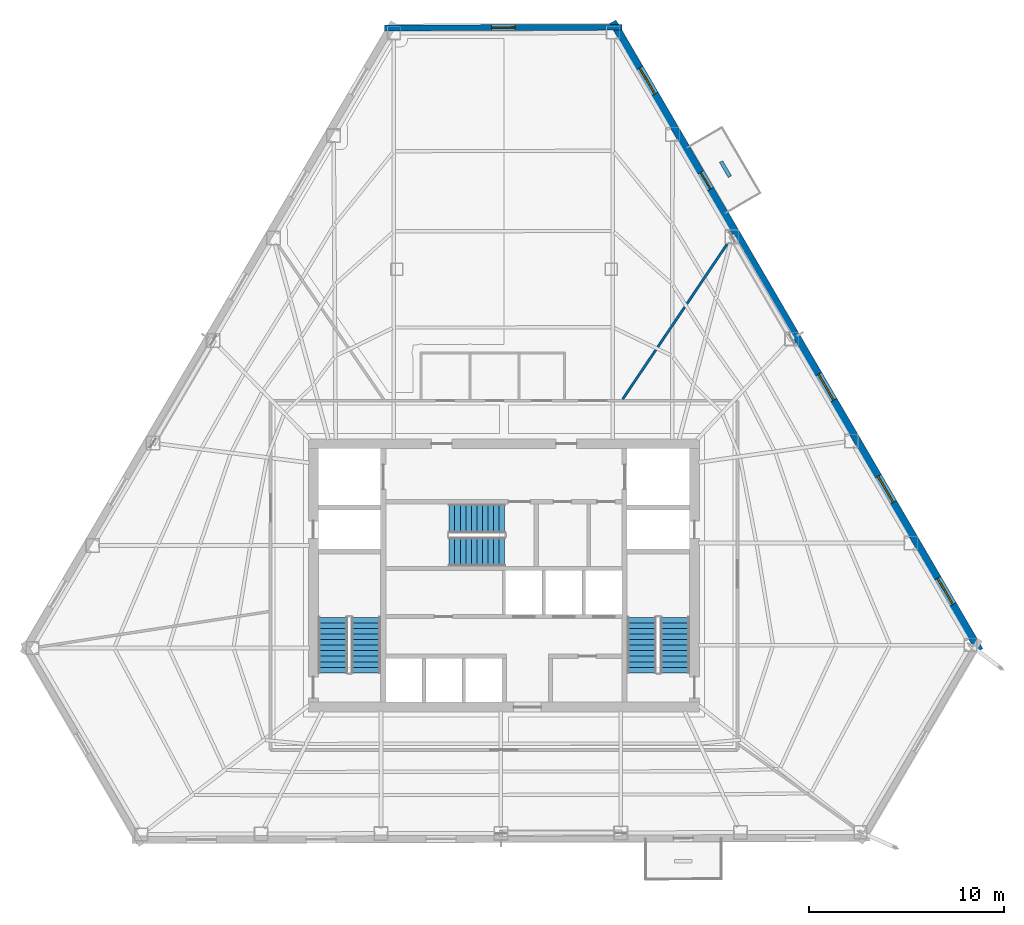
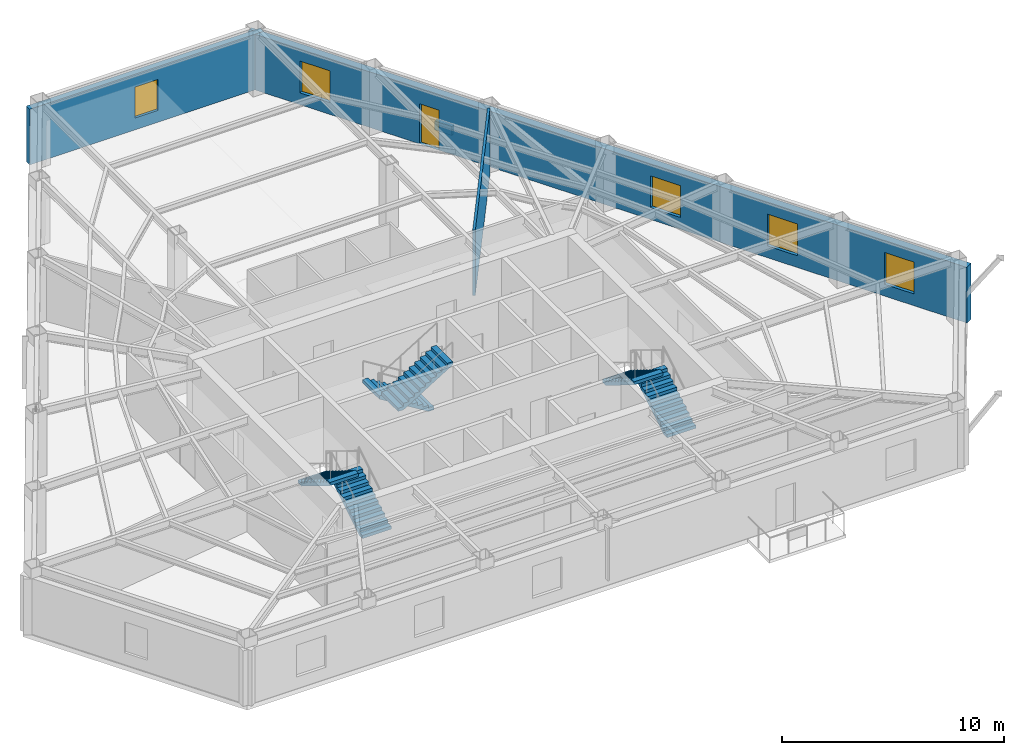
# One storey, part 8 of 10: 6 stair flights, 5 windows, 4 walls, 1 door, 6 openings, 3 elements without a shape of their own.
"""IFC4 building model written with IfcOpenShell, lengths in metres."""

import ifcopenshell
import ifcopenshell.guid

model = None  # the IFC model being written
_history = None  # IfcOwnerHistory: only IFC2X3 demands one
_inside = {}  # id of a spatial element -> (the spatial element, [elements in it])
_under = {}  # id of a project, library or spatial element -> (it, [spatial elements below it])
_declared = {}  # id of a project -> (the project, [libraries it declares])
_typed = {}  # id of a type object -> (the type object, [elements of that type])
_made_of = {}  # id of a material, layer set ... -> (it, [elements and type objects made of it])


def new_model(schema):
    """Start an empty IFC model of exactly this schema.

    Asked for "IFC4X3", IfcOpenShell would pick the latest addendum, in which some entities
    have other attributes; the version numbers below select the first issue.
    IFC2X3 requires an IfcOwnerHistory on every rooted entity: one is made here for all.
    """
    global model, _history
    if schema == "IFC4X3":
        model = ifcopenshell.file(schema_version=(4, 3, 0, 0))
    else:
        model = ifcopenshell.file(schema=schema)
    _inside.clear()
    _under.clear()
    _declared.clear()
    _typed.clear()
    _made_of.clear()
    _history = None
    if model.schema == "IFC2X3":
        org = make("IfcOrganization", Name="unknown")
        user = make(
            "IfcPersonAndOrganization",
            ThePerson=make("IfcPerson", FamilyName="unknown"),
            TheOrganization=org,
        )
        app = make(
            "IfcApplication",
            ApplicationDeveloper=org,
            Version="unknown",
            ApplicationFullName="unknown",
            ApplicationIdentifier="unknown",
        )
        _history = make(
            "IfcOwnerHistory",
            OwningUser=user,
            OwningApplication=app,
            ChangeAction="ADDED",
            CreationDate=0,
        )
    return model


def make(cls, **values):
    """One entity of the class cls with the attributes given. An attribute that is None is left unset."""
    return model.create_entity(
        cls, **{name: value for name, value in values.items() if value is not None}
    )


def rooted(cls, **values):
    """An entity with a GlobalId (a new one), such as an element, a storey or a relation."""
    return make(cls, GlobalId=ifcopenshell.guid.new(), OwnerHistory=_history, **values)


def si_unit(unit_type, name, prefix=None):
    """IfcSIUnit, for example si_unit("LENGTHUNIT", "METRE", prefix="MILLI")."""
    return make("IfcSIUnit", UnitType=unit_type, Prefix=prefix, Name=name)


def assignment(units):
    """IfcUnitAssignment: the units of a project."""
    return None if units is None else make("IfcUnitAssignment", Units=units)


def point(xyz):
    """IfcCartesianPoint."""
    return None if xyz is None else make("IfcCartesianPoint", Coordinates=xyz)


def direction(xyz):
    """IfcDirection."""
    return None if xyz is None else make("IfcDirection", DirectionRatios=xyz)


def frame(location, z_axis=None, x_axis=None):
    """IfcAxis2Placement3D, a coordinate frame: its origin and axes. An axis left out is left unset."""
    return make(
        "IfcAxis2Placement3D",
        Location=point(location),
        Axis=direction(z_axis),
        RefDirection=direction(x_axis),
    )


def frame_2d(location, x_axis=None):
    """IfcAxis2Placement2D, a coordinate frame in the plane: its origin and x axis."""
    return make(
        "IfcAxis2Placement2D", Location=point(location), RefDirection=direction(x_axis)
    )


def origin():
    """The frame at (0, 0, 0) with its axes left unset."""
    return frame((0.0, 0.0, 0.0))


def place(relative_to, where):
    """IfcLocalPlacement: puts the frame where relative to a parent placement (None: the world)."""
    return make(
        "IfcLocalPlacement", PlacementRelTo=relative_to, RelativePlacement=where
    )


def context(
    kind, dimensions, precision=None, world=None, true_north=None, identifier=None
):
    """IfcGeometricRepresentationContext, for example the 3D "Model" context."""
    return make(
        "IfcGeometricRepresentationContext",
        ContextIdentifier=identifier,
        ContextType=kind,
        CoordinateSpaceDimension=dimensions,
        Precision=precision,
        WorldCoordinateSystem=world,
        TrueNorth=true_north,
    )


def subcontext(parent, identifier, kind, view, scale=None):
    """IfcGeometricRepresentationSubContext, for example "Body" below "Model"."""
    return make(
        "IfcGeometricRepresentationSubContext",
        ContextIdentifier=identifier,
        ContextType=kind,
        ParentContext=parent,
        TargetScale=scale,
        TargetView=view,
    )


def project(units=None, contexts=None):
    """IfcProject with its units and contexts."""
    return rooted(
        "IfcProject",
        Name="project",
        RepresentationContexts=contexts,
        UnitsInContext=assignment(units),
    )


def spatial(cls, under=None, at=None, **own):
    """A site, building, storey or space (cls), placed at a placement, below another one or the project."""
    s = rooted(cls, ObjectPlacement=at, **own)
    if under is not None:
        _under.setdefault(under.id(), (under, []))[1].append(s)
    return s


def polyline(points):
    """IfcPolyline through the points."""
    return make("IfcPolyline", Points=[point(p) for p in points])


def profile(cls, at=None, kind="AREA", **sizes):
    """A parametric profile (cls). Its sizes go by their IFC names, for example OverallWidth=200.0."""
    return make(cls, ProfileType=kind, Position=at, **sizes)


def rectangle(**sizes):
    """IfcRectangleProfileDef."""
    return profile("IfcRectangleProfileDef", **sizes)


def outline(outer, holes=None, kind="AREA"):
    """IfcArbitraryClosedProfileDef: a profile drawn as a closed curve; with holes, ...WithVoids."""
    if holes is None:
        return make("IfcArbitraryClosedProfileDef", ProfileType=kind, OuterCurve=outer)
    return make(
        "IfcArbitraryProfileDefWithVoids",
        ProfileType=kind,
        OuterCurve=outer,
        InnerCurves=holes,
    )


def extrude(swept, where, along, depth):
    """IfcExtrudedAreaSolid: the profile swept, set in the frame where, extruded along a direction by depth."""
    return make(
        "IfcExtrudedAreaSolid",
        SweptArea=swept,
        Position=where,
        ExtrudedDirection=direction(along),
        Depth=depth,
    )


def shape(context_of_items, identifier, shape_type, items):
    """IfcShapeRepresentation: the items that make up one representation, for example the "Body"."""
    return make(
        "IfcShapeRepresentation",
        ContextOfItems=context_of_items,
        RepresentationIdentifier=identifier,
        RepresentationType=shape_type,
        Items=items,
    )


def material(Name=None, Category=None):
    """IfcMaterial."""
    return make("IfcMaterial", Name=Name, Category=Category)


def layer(
    of_material, thickness, ventilated=None, Name=None, Category=None, Priority=None
):
    """IfcMaterialLayer: one layer of a wall or slab, of a material (None: an air gap)."""
    return make(
        "IfcMaterialLayer",
        Material=of_material,
        LayerThickness=thickness,
        IsVentilated=ventilated,
        Name=Name,
        Category=Category,
        Priority=Priority,
    )


def layer_set(layers, Name=None):
    """IfcMaterialLayerSet."""
    return make("IfcMaterialLayerSet", MaterialLayers=layers, LayerSetName=Name)


def made_of(thing, what):
    """Note that an element or type object is made of a material, layer set ...; save() writes the relation."""
    if what is not None:
        _made_of.setdefault(what.id(), (what, []))[1].append(thing)
    return thing


def type_object(cls, material=None, **own):
    """A type object (cls), such as IfcWallType, which elements share."""
    return made_of(rooted(cls, **own), material)


def element(
    cls,
    number,
    at=None,
    inside=None,
    cuts=None,
    type_object=None,
    material=None,
    context=None,
    identifier="Body",
    shape_type=None,
    held_by="IfcProductDefinitionShape",
    body=None,
    shapes=None,
    **own,
):
    """One element of the class cls, such as IfcWall. Its Tag is "e" and its number.

    at: its placement. inside: the storey or other place that contains it. cuts: it is an
    opening in that element (IfcRelVoidsElement). A single representation is given by context,
    identifier, shape_type and body (its items); several are given by shapes. held_by: the class
    of the entity that holds the representations. save() writes the other relations.
    """
    e = rooted(cls, Tag="e%d" % number, ObjectPlacement=at, **own)
    if body is not None:
        shapes = [shape(context, identifier, shape_type, body)]
    if shapes is not None:
        e.Representation = make(held_by, Representations=shapes)
    if inside is not None:
        _inside.setdefault(inside.id(), (inside, []))[1].append(e)
    if cuts is not None:
        rooted(
            "IfcRelVoidsElement", RelatingBuildingElement=cuts, RelatedOpeningElement=e
        )
    if type_object is not None:
        _typed.setdefault(type_object.id(), (type_object, []))[1].append(e)
    return made_of(e, material)


def fill(opening, filler):
    """IfcRelFillsElement: the door or window that sits in an opening."""
    return rooted(
        "IfcRelFillsElement",
        RelatingOpeningElement=opening,
        RelatedBuildingElement=filler,
    )


def aggregate(whole, parts):
    """IfcRelAggregates: a whole, such as a stair, and the parts it consists of."""
    return rooted("IfcRelAggregates", RelatingObject=whole, RelatedObjects=parts)


def save(model, path):
    """Write the relations noted so far, then the file.

    IfcRelAggregates (storeys below a building ...), IfcRelContainedInSpatialStructure (elements
    in a storey), IfcRelDefinesByType, IfcRelAssociatesMaterial and IfcRelDeclares: one each for
    every whole, place, type object, material and project.
    """
    for whole, parts in _under.values():
        aggregate(whole, parts)
    for where, things in _inside.values():
        rooted(
            "IfcRelContainedInSpatialStructure",
            RelatedElements=things,
            RelatingStructure=where,
        )
    for kind, things in _typed.values():
        rooted("IfcRelDefinesByType", RelatedObjects=things, RelatingType=kind)
    for what, things in _made_of.values():
        rooted("IfcRelAssociatesMaterial", RelatedObjects=things, RelatingMaterial=what)
    for by, libraries in _declared.values():
        rooted("IfcRelDeclares", RelatingContext=by, RelatedDefinitions=libraries)
    model.write(path)


model = new_model("IFC4")

# Units and contexts
model_context = context("Model", 3, precision=1e-05, world=origin(), true_north=direction((0.0, 1.0)))
body_context = subcontext(model_context, "Body", "Model", "MODEL_VIEW")
ifc_project = project(units=[si_unit("LENGTHUNIT", "METRE"), si_unit("AREAUNIT", "SQUARE_METRE"), si_unit("VOLUMEUNIT", "CUBIC_METRE"), si_unit("PLANEANGLEUNIT", "RADIAN"), si_unit("MASSUNIT", "GRAM", prefix="KILO")], contexts=[model_context])

# Site, building, storey
site_placement = place(None, origin())
site = spatial("IfcSite", under=ifc_project, at=site_placement, CompositionType="ELEMENT")
building_placement = place(site_placement, origin())
building = spatial("IfcBuilding", under=site, at=building_placement, Name="Kavelnor Concourse Tower", CompositionType="ELEMENT")
storey_placement = place(building_placement, frame((0.0, 0.0, 135.550048828125)))
storey = spatial("IfcBuildingStorey", under=building, at=storey_placement, Name="L34", CompositionType="ELEMENT", Elevation=135.550048828125)

# Wall, opening, window
ifc_material_1 = material(Name="Buff ironspot clay face brick masonry", Category="masonry")
ifc_layer_1 = layer(ifc_material_1, 0.300048828125, Name="Buff ironspot clay face brick masonry")
ifc_layer_set_1 = layer_set([ifc_layer_1], Name="Buff ironspot clay face brick masonry")
wall_type_1 = type_object("IfcWallType", Name="WL-EXT-BUFF-BRICK-FOLD-300", PredefinedType="STANDARD", material=ifc_layer_set_1)
wall_1_placement = place(storey_placement, frame((31.8798828125, 44.168701171875, 0.0), z_axis=(0.0, 0.0, 1.0), x_axis=(0.999995540586, 0.002986437416, 0.0)))
wall_1 = element("IfcWall", 1, at=wall_1_placement, inside=storey, type_object=wall_type_1, Name="L34 Exterior Brick Facade Wall E0", PredefinedType="STANDARD", context=body_context, shape_type="SweptSolid", body=[
    extrude(rectangle(XDim=12.1806640625, YDim=0.300048828125, at=frame_2d((6.09033203125, 0.0))), origin(), (0.0, 0.0, 1.0), 3.058837890625),
])
opening_1_placement = place(wall_1_placement, frame((5.490478515625, 0.0, 0.64990234375)))
opening_1 = element("IfcOpeningElement", 2, at=opening_1_placement, cuts=wall_1, Name="Opening W-05", PredefinedType="OPENING", context=body_context, shape_type="SweptSolid", body=[
    extrude(rectangle(XDim=1.199951171875, YDim=1.699951171875, at=frame_2d((0.60009765625, 0.85009765625))), frame((0.0, 0.16015625, 0.0), z_axis=(0.0, -1.0, 0.0), x_axis=(1.0, 0.0, 0.0)), (0.0, 0.0, 1.0), 0.320068359375),
])
ifc_material_2 = material(Name="Double low-E argon insulated glazing", Category="glass")
window_type_1 = type_object("IfcWindowType", Name="WIN-FOLD-1200", PartitioningType="SINGLE_PANEL", PredefinedType="WINDOW", material=ifc_material_2)
window_1_placement = place(opening_1_placement, origin())
window_1 = element("IfcWindow", 3, at=window_1_placement, inside=storey, type_object=window_type_1, Name="L34 Chamfer-Fold Facet Window C0", OverallHeight=1.699951171875, OverallWidth=1.199951171875, PartitioningType="SINGLE_PANEL", PredefinedType="WINDOW", context=body_context, shape_type="SweptSolid", body=[
    extrude(rectangle(XDim=1.199951171875, YDim=1.699951171875, at=frame_2d((0.60009765625, 0.85009765625))), frame((0.0, 0.030029296875, 0.0), z_axis=(0.0, -1.0, 0.0), x_axis=(1.0, 0.0, 0.0)), (0.0, 0.0, 1.0), 0.06005859375),
])
fill(opening_1, window_1)

# Wall, openings, door, windows
ifc_material_3 = material(Name="Red-ochre clay face brick masonry", Category="masonry")
ifc_layer_2 = layer(ifc_material_3, 0.3798828125, Name="Red-ochre clay face brick masonry")
ifc_layer_set_2 = layer_set([ifc_layer_2], Name="Red-ochre clay face brick masonry")
wall_type_2 = type_object("IfcWallType", Name="WL-EXT-RED-BRICK-PIER-380", PredefinedType="STANDARD", material=ifc_layer_set_2)
wall_2_placement = place(storey_placement, frame((43.577880859375, 44.481201171875, 0.0), z_axis=(0.0, 0.0, 1.0), x_axis=(0.504151594759, -0.863615174428, 0.0)))
wall_2 = element("IfcWall", 4, at=wall_2_placement, inside=storey, type_object=wall_type_2, Name="L34 Exterior Brick Facade Wall E5", PredefinedType="STANDARD", context=body_context, shape_type="SweptSolid", body=[
    extrude(rectangle(XDim=37.32763671875, YDim=0.3798828125, at=frame_2d((18.663818359375, 0.0))), origin(), (0.0, 0.0, 1.0), 3.058837890625),
])
opening_2_placement = place(wall_2_placement, frame((8.931884765625, 0.0, 0.0)))
opening_2 = element("IfcOpeningElement", 5, at=opening_2_placement, cuts=wall_2, Name="Opening BD-100", PredefinedType="OPENING", context=body_context, shape_type="SweptSolid", body=[
    extrude(rectangle(XDim=1.0, YDim=2.199951171875, at=frame_2d((0.5, 1.10009765625))), frame((0.0, 0.199951171875, 0.0), z_axis=(0.0, -1.0, 0.0), x_axis=(1.0, 0.0, 0.0)), (0.0, 0.0, 1.0), 0.39990234375),
])
opening_3_placement = place(wall_2_placement, frame((33.040771484375, 0.0, 0.64990234375)))
opening_3 = element("IfcOpeningElement", 6, at=opening_3_placement, cuts=wall_2, Name="Opening W-02", PredefinedType="OPENING", context=body_context, shape_type="SweptSolid", body=[
    extrude(rectangle(XDim=1.550048828125, YDim=1.75, at=frame_2d((0.77490234375, 0.875))), frame((0.0, 0.199951171875, 0.0), z_axis=(0.0, -1.0, 0.0), x_axis=(1.0, 0.0, 0.0)), (0.0, 0.0, 1.0), 0.39990234375),
])
opening_4_placement = place(wall_2_placement, frame((26.979248046875, 0.0, 0.64990234375)))
opening_4 = element("IfcOpeningElement", 7, at=opening_4_placement, cuts=wall_2, Name="Opening W-02", PredefinedType="OPENING", context=body_context, shape_type="SweptSolid", body=[
    extrude(rectangle(XDim=1.550048828125, YDim=1.75, at=frame_2d((0.77490234375, 0.875))), frame((0.0, 0.199951171875, 0.0), z_axis=(0.0, -1.0, 0.0), x_axis=(1.0, 0.0, 0.0)), (0.0, 0.0, 1.0), 0.39990234375),
])
opening_5_placement = place(wall_2_placement, frame((20.91748046875, 0.0, 0.64990234375)))
opening_5 = element("IfcOpeningElement", 8, at=opening_5_placement, cuts=wall_2, Name="Opening W-02", PredefinedType="OPENING", context=body_context, shape_type="SweptSolid", body=[
    extrude(rectangle(XDim=1.550048828125, YDim=1.75, at=frame_2d((0.77490234375, 0.875))), frame((0.0, 0.199951171875, 0.0), z_axis=(0.0, -1.0, 0.0), x_axis=(1.0, 0.0, 0.0)), (0.0, 0.0, 1.0), 0.39990234375),
])
opening_6_placement = place(wall_2_placement, frame((2.732421875, 0.0, 0.64990234375)))
opening_6 = element("IfcOpeningElement", 9, at=opening_6_placement, cuts=wall_2, Name="Opening W-02", PredefinedType="OPENING", context=body_context, shape_type="SweptSolid", body=[
    extrude(rectangle(XDim=1.550048828125, YDim=1.75, at=frame_2d((0.77490234375, 0.875))), frame((0.0, 0.199951171875, 0.0), z_axis=(0.0, -1.0, 0.0), x_axis=(1.0, 0.0, 0.0)), (0.0, 0.0, 1.0), 0.39990234375),
])
ifc_material_4 = material(Name="Anodised aluminium 6063-T6", Category="aluminium")
door_type = type_object("IfcDoorType", Name="DR-BALCONY-EXT-1000", OperationType="NOTDEFINED", PredefinedType="DOOR", material=ifc_material_4)
door_placement = place(opening_2_placement, origin())
door = element("IfcDoor", 10, at=door_placement, inside=storey, type_object=door_type, Name="L34 Tree Balcony 2 Glazed Door", OperationType="SINGLE_SWING_RIGHT", OverallHeight=2.199951171875, OverallWidth=1.0, PredefinedType="DOOR", context=body_context, shape_type="SweptSolid", body=[
    extrude(rectangle(XDim=1.0, YDim=2.199951171875, at=frame_2d((0.5, 1.10009765625))), frame((0.0, 0.02490234375, 0.0), z_axis=(0.0, -1.0, 0.0), x_axis=(1.0, 0.0, 0.0)), (0.0, 0.0, 1.0), 0.050048828125),
])
fill(opening_2, door)
window_type_2 = type_object("IfcWindowType", Name="WIN-PIER-Z2-1650", PartitioningType="SINGLE_PANEL", PredefinedType="WINDOW", material=ifc_material_2)
window_2_placement = place(opening_3_placement, origin())
window_2 = element("IfcWindow", 11, at=window_2_placement, inside=storey, type_object=window_type_2, Name="L34 Deep-Set Brick Pier Window F2-B0", OverallHeight=1.75, OverallWidth=1.550048828125, PartitioningType="SINGLE_PANEL", PredefinedType="WINDOW", context=body_context, shape_type="SweptSolid", body=[
    extrude(rectangle(XDim=1.550048828125, YDim=1.75, at=frame_2d((0.77490234375, 0.875))), frame((0.0, 0.030029296875, 0.0), z_axis=(0.0, -1.0, 0.0), x_axis=(1.0, 0.0, 0.0)), (0.0, 0.0, 1.0), 0.06005859375),
])
fill(opening_3, window_2)
window_3_placement = place(opening_4_placement, origin())
window_3 = element("IfcWindow", 12, at=window_3_placement, inside=storey, type_object=window_type_2, Name="L34 Deep-Set Brick Pier Window F2-B1", OverallHeight=1.75, OverallWidth=1.550048828125, PartitioningType="SINGLE_PANEL", PredefinedType="WINDOW", context=body_context, shape_type="SweptSolid", body=[
    extrude(rectangle(XDim=1.550048828125, YDim=1.75, at=frame_2d((0.77490234375, 0.875))), frame((0.0, 0.030029296875, 0.0), z_axis=(0.0, -1.0, 0.0), x_axis=(1.0, 0.0, 0.0)), (0.0, 0.0, 1.0), 0.06005859375),
])
fill(opening_4, window_3)
window_4_placement = place(opening_5_placement, origin())
window_4 = element("IfcWindow", 13, at=window_4_placement, inside=storey, type_object=window_type_2, Name="L34 Deep-Set Brick Pier Window F2-B2", OverallHeight=1.75, OverallWidth=1.550048828125, PartitioningType="SINGLE_PANEL", PredefinedType="WINDOW", context=body_context, shape_type="SweptSolid", body=[
    extrude(rectangle(XDim=1.550048828125, YDim=1.75, at=frame_2d((0.77490234375, 0.875))), frame((0.0, 0.030029296875, 0.0), z_axis=(0.0, -1.0, 0.0), x_axis=(1.0, 0.0, 0.0)), (0.0, 0.0, 1.0), 0.06005859375),
])
fill(opening_5, window_4)
window_5_placement = place(opening_6_placement, origin())
window_5 = element("IfcWindow", 14, at=window_5_placement, inside=storey, type_object=window_type_2, Name="L34 Deep-Set Brick Pier Window F2-B5", OverallHeight=1.75, OverallWidth=1.550048828125, PartitioningType="SINGLE_PANEL", PredefinedType="WINDOW", context=body_context, shape_type="SweptSolid", body=[
    extrude(rectangle(XDim=1.550048828125, YDim=1.75, at=frame_2d((0.77490234375, 0.875))), frame((0.0, 0.030029296875, 0.0), z_axis=(0.0, -1.0, 0.0), x_axis=(1.0, 0.0, 0.0)), (0.0, 0.0, 1.0), 0.06005859375),
])
fill(opening_6, window_5)

# Walls
ifc_material_5 = material(Name="Gypsum plasterboard on light-gauge steel studs", Category="steel")
ifc_layer_3 = layer(ifc_material_5, 0.125, Name="Gypsum plasterboard on light-gauge steel studs")
ifc_layer_set_3 = layer_set([ifc_layer_3], Name="Gypsum plasterboard on light-gauge steel studs")
wall_type_3 = type_object("IfcWallType", Name="WL-INT-SUITE-125", PredefinedType="PARTITIONING", material=ifc_layer_set_3)
wall_3_placement = place(storey_placement, frame((44.083251953125, 25.130615234375, 0.0), z_axis=(0.0, 0.0, 1.0), x_axis=(0.558706378993, 0.829365529832, 0.0)))
element("IfcWall", 15, at=wall_3_placement, inside=storey, type_object=wall_type_3, Name="L34 Radial Suite Partition 01", PredefinedType="PARTITIONING", context=body_context, shape_type="SweptSolid", body=[
    extrude(rectangle(XDim=9.603759765625, YDim=0.125, at=frame_2d((4.8017578125, 0.0))), origin(), (0.0, 0.0, 1.0), 3.599853515625),
])
ifc_material_6 = material(Name="Architectural precast planter concrete C40/50", Category="concrete")
ifc_layer_4 = layer(ifc_material_6, 0.18994140625, Name="Architectural precast planter concrete C40/50")
ifc_layer_set_4 = layer_set([ifc_layer_4], Name="Architectural precast planter concrete C40/50")
wall_type_4 = type_object("IfcWallType", Name="WL-PLANTER-KERB-190", PredefinedType="USERDEFINED", material=ifc_layer_set_4)
wall_4_placement = place(storey_placement, frame((49.583251953125, 36.54443359375, 0.0), z_axis=(0.0, 0.0, 1.0), x_axis=(-0.504208262385, 0.863582091143, 0.0)))
element("IfcWall", 16, at=wall_4_placement, inside=storey, type_object=wall_type_4, Name="L34 Tree Balcony 2 Tree Planter Kerb", ObjectType="PLANTER", PredefinedType="USERDEFINED", context=body_context, shape_type="SweptSolid", body=[
    extrude(rectangle(XDim=0.900146484375, YDim=0.18994140625, at=frame_2d((0.4501953125, 0.0))), origin(), (0.0, 0.0, 1.0), 0.5),
])

# Stair, stair flights
ifc_material_7 = material(Name="Concrete C40/50", Category="concrete")
stair_type = type_object("IfcStairType", Name="STR-CORE-1500", PredefinedType="HALF_TURN_STAIR", material=ifc_material_7)
stair_1_placement = place(storey_placement, origin())
stair_1 = element("IfcStair", 17, at=stair_1_placement, inside=storey, type_object=stair_type, Name="L34 ST1", PredefinedType="HALF_TURN_STAIR")
stair_flight_type = type_object("IfcStairFlightType", Name="STR-FLIGHT-1500", PredefinedType="STRAIGHT", material=ifc_material_7)
stair_flight_1_placement = place(storey_placement, frame((30.929931640625, 11.10009765625, 0.0), z_axis=(0.0, 0.0, 1.0), x_axis=(0.0, 1.0, 0.0)))
stair_flight_1 = element("IfcStairFlight", 18, at=stair_flight_1_placement, type_object=stair_flight_type, Name="ST1 flight 1", NumberOfRisers=11, NumberOfTreads=10, PredefinedType="STRAIGHT", RiserHeight=0.175, TreadLength=0.285, context=body_context, shape_type="SweptSolid", body=[
    extrude(outline(polyline([(0.0, 0.0), (0.0, 0.175048828125), (0.284912109375, 0.175048828125), (0.284912109375, 0.35009765625), (0.570068359375, 0.35009765625), (0.570068359375, 0.52490234375), (0.85498046875, 0.52490234375), (0.85498046875, 0.699951171875), (1.139892578125, 0.699951171875), (1.139892578125, 0.875), (1.425048828125, 0.875), (1.425048828125, 1.050048828125), (1.7099609375, 1.050048828125), (1.7099609375, 1.22509765625), (1.9951171875, 1.22509765625), (1.9951171875, 1.39990234375), (2.280029296875, 1.39990234375), (2.280029296875, 1.574951171875), (2.56494140625, 1.574951171875), (2.56494140625, 1.75), (2.85009765625, 1.75), (2.85009765625, 1.925048828125), (2.85009765625, 1.573974609375), (0.286376953125, 0.0), (0.0, 0.0)])), frame((0.0, 0.75, 0.0), z_axis=(0.0, -1.0, 0.0), x_axis=(1.0, 0.0, 0.0)), (0.0, 0.0, 1.0), 1.5),
])
stair_flight_2_placement = place(storey_placement, frame((29.22998046875, 13.949951171875, 1.925048828125), z_axis=(0.0, 0.0, 1.0), x_axis=(0.0, -1.0, 0.0)))
stair_flight_2 = element("IfcStairFlight", 19, at=stair_flight_2_placement, type_object=stair_flight_type, Name="ST1 flight 2", NumberOfRisers=11, NumberOfTreads=10, PredefinedType="STRAIGHT", RiserHeight=0.175, TreadLength=0.285, context=body_context, shape_type="SweptSolid", body=[
    extrude(outline(polyline([(0.0, 0.0), (0.0, 0.175048828125), (0.284912109375, 0.175048828125), (0.284912109375, 0.35009765625), (0.570068359375, 0.35009765625), (0.570068359375, 0.52490234375), (0.85498046875, 0.52490234375), (0.85498046875, 0.699951171875), (1.139892578125, 0.699951171875), (1.139892578125, 0.875), (1.425048828125, 0.875), (1.425048828125, 1.050048828125), (1.7099609375, 1.050048828125), (1.7099609375, 1.22509765625), (1.9951171875, 1.22509765625), (1.9951171875, 1.39990234375), (2.280029296875, 1.39990234375), (2.280029296875, 1.574951171875), (2.56494140625, 1.574951171875), (2.56494140625, 1.75), (2.85009765625, 1.75), (2.85009765625, 1.925048828125), (2.85009765625, 1.573974609375), (0.286376953125, 0.0), (0.0, 0.0)])), frame((0.0, 0.75, 0.0), z_axis=(0.0, -1.0, 0.0), x_axis=(1.0, 0.0, 0.0)), (0.0, 0.0, 1.0), 1.5),
])
aggregate(stair_1, [stair_flight_1, stair_flight_2])

stair_2_placement = place(storey_placement, origin())
stair_2 = element("IfcStair", 20, at=stair_2_placement, inside=storey, type_object=stair_type, Name="L34 ST2", PredefinedType="HALF_TURN_STAIR")
stair_flight_3_placement = place(storey_placement, frame((46.77001953125, 11.10009765625, 0.0), z_axis=(0.0, 0.0, 1.0), x_axis=(0.0, 1.0, 0.0)))
stair_flight_3 = element("IfcStairFlight", 21, at=stair_flight_3_placement, type_object=stair_flight_type, Name="ST2 flight 1", NumberOfRisers=11, NumberOfTreads=10, PredefinedType="STRAIGHT", RiserHeight=0.175, TreadLength=0.285, context=body_context, shape_type="SweptSolid", body=[
    extrude(outline(polyline([(0.0, 0.0), (0.0, 0.175048828125), (0.284912109375, 0.175048828125), (0.284912109375, 0.35009765625), (0.570068359375, 0.35009765625), (0.570068359375, 0.52490234375), (0.85498046875, 0.52490234375), (0.85498046875, 0.699951171875), (1.139892578125, 0.699951171875), (1.139892578125, 0.875), (1.425048828125, 0.875), (1.425048828125, 1.050048828125), (1.7099609375, 1.050048828125), (1.7099609375, 1.22509765625), (1.9951171875, 1.22509765625), (1.9951171875, 1.39990234375), (2.280029296875, 1.39990234375), (2.280029296875, 1.574951171875), (2.56494140625, 1.574951171875), (2.56494140625, 1.75), (2.85009765625, 1.75), (2.85009765625, 1.925048828125), (2.85009765625, 1.573974609375), (0.286376953125, 0.0), (0.0, 0.0)])), frame((0.0, 0.75, 0.0), z_axis=(0.0, -1.0, 0.0), x_axis=(1.0, 0.0, 0.0)), (0.0, 0.0, 1.0), 1.5),
])
stair_flight_4_placement = place(storey_placement, frame((45.070068359375, 13.949951171875, 1.925048828125), z_axis=(0.0, 0.0, 1.0), x_axis=(0.0, -1.0, 0.0)))
stair_flight_4 = element("IfcStairFlight", 22, at=stair_flight_4_placement, type_object=stair_flight_type, Name="ST2 flight 2", NumberOfRisers=11, NumberOfTreads=10, PredefinedType="STRAIGHT", RiserHeight=0.175, TreadLength=0.285, context=body_context, shape_type="SweptSolid", body=[
    extrude(outline(polyline([(0.0, 0.0), (0.0, 0.175048828125), (0.284912109375, 0.175048828125), (0.284912109375, 0.35009765625), (0.570068359375, 0.35009765625), (0.570068359375, 0.52490234375), (0.85498046875, 0.52490234375), (0.85498046875, 0.699951171875), (1.139892578125, 0.699951171875), (1.139892578125, 0.875), (1.425048828125, 0.875), (1.425048828125, 1.050048828125), (1.7099609375, 1.050048828125), (1.7099609375, 1.22509765625), (1.9951171875, 1.22509765625), (1.9951171875, 1.39990234375), (2.280029296875, 1.39990234375), (2.280029296875, 1.574951171875), (2.56494140625, 1.574951171875), (2.56494140625, 1.75), (2.85009765625, 1.75), (2.85009765625, 1.925048828125), (2.85009765625, 1.573974609375), (0.286376953125, 0.0), (0.0, 0.0)])), frame((0.0, 0.75, 0.0), z_axis=(0.0, -1.0, 0.0), x_axis=(1.0, 0.0, 0.0)), (0.0, 0.0, 1.0), 1.5),
])
aggregate(stair_2, [stair_flight_3, stair_flight_4])

stair_3_placement = place(storey_placement, origin())
stair_3 = element("IfcStair", 23, at=stair_3_placement, inside=storey, type_object=stair_type, Name="L34 ST3", PredefinedType="HALF_TURN_STAIR")
stair_flight_5_placement = place(storey_placement, frame((38.0400390625, 19.010009765625, 0.0), z_axis=(0.0, 0.0, 1.0), x_axis=(-1.0, 0.0, 0.0)))
stair_flight_5 = element("IfcStairFlight", 24, at=stair_flight_5_placement, type_object=stair_flight_type, Name="ST3 flight 1", NumberOfRisers=11, NumberOfTreads=10, PredefinedType="STRAIGHT", RiserHeight=0.175, TreadLength=0.285, context=body_context, shape_type="SweptSolid", body=[
    extrude(outline(polyline([(0.0, 0.0), (0.0, 0.175048828125), (0.284912109375, 0.175048828125), (0.284912109375, 0.35009765625), (0.570068359375, 0.35009765625), (0.570068359375, 0.52490234375), (0.85498046875, 0.52490234375), (0.85498046875, 0.699951171875), (1.139892578125, 0.699951171875), (1.139892578125, 0.875), (1.425048828125, 0.875), (1.425048828125, 1.050048828125), (1.7099609375, 1.050048828125), (1.7099609375, 1.22509765625), (1.9951171875, 1.22509765625), (1.9951171875, 1.39990234375), (2.280029296875, 1.39990234375), (2.280029296875, 1.574951171875), (2.56494140625, 1.574951171875), (2.56494140625, 1.75), (2.85009765625, 1.75), (2.85009765625, 1.925048828125), (2.85009765625, 1.573974609375), (0.286376953125, 0.0), (0.0, 0.0)])), frame((0.0, 0.75, 0.0), z_axis=(0.0, -1.0, 0.0), x_axis=(1.0, 0.0, 0.0)), (0.0, 0.0, 1.0), 1.5),
])
stair_flight_6_placement = place(storey_placement, frame((35.18994140625, 17.31005859375, 1.925048828125), z_axis=(0.0, 0.0, 1.0), x_axis=(1.0, 0.0, 0.0)))
stair_flight_6 = element("IfcStairFlight", 25, at=stair_flight_6_placement, type_object=stair_flight_type, Name="ST3 flight 2", NumberOfRisers=11, NumberOfTreads=10, PredefinedType="STRAIGHT", RiserHeight=0.175, TreadLength=0.285, context=body_context, shape_type="SweptSolid", body=[
    extrude(outline(polyline([(0.0, 0.0), (0.0, 0.175048828125), (0.284912109375, 0.175048828125), (0.284912109375, 0.35009765625), (0.570068359375, 0.35009765625), (0.570068359375, 0.52490234375), (0.85498046875, 0.52490234375), (0.85498046875, 0.699951171875), (1.139892578125, 0.699951171875), (1.139892578125, 0.875), (1.425048828125, 0.875), (1.425048828125, 1.050048828125), (1.7099609375, 1.050048828125), (1.7099609375, 1.22509765625), (1.9951171875, 1.22509765625), (1.9951171875, 1.39990234375), (2.280029296875, 1.39990234375), (2.280029296875, 1.574951171875), (2.56494140625, 1.574951171875), (2.56494140625, 1.75), (2.85009765625, 1.75), (2.85009765625, 1.925048828125), (2.85009765625, 1.573974609375), (0.286376953125, 0.0), (0.0, 0.0)])), frame((0.0, 0.75, 0.0), z_axis=(0.0, -1.0, 0.0), x_axis=(1.0, 0.0, 0.0)), (0.0, 0.0, 1.0), 1.5),
])
aggregate(stair_3, [stair_flight_5, stair_flight_6])

save(model, "model.ifc")
